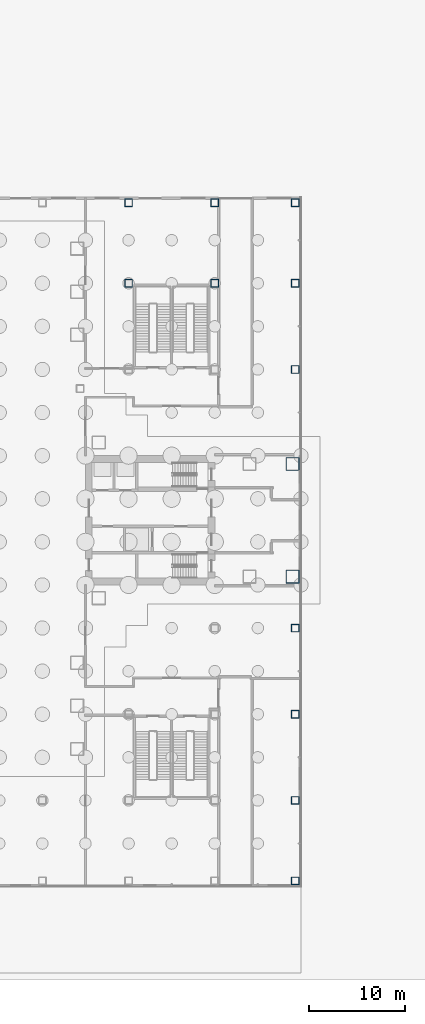
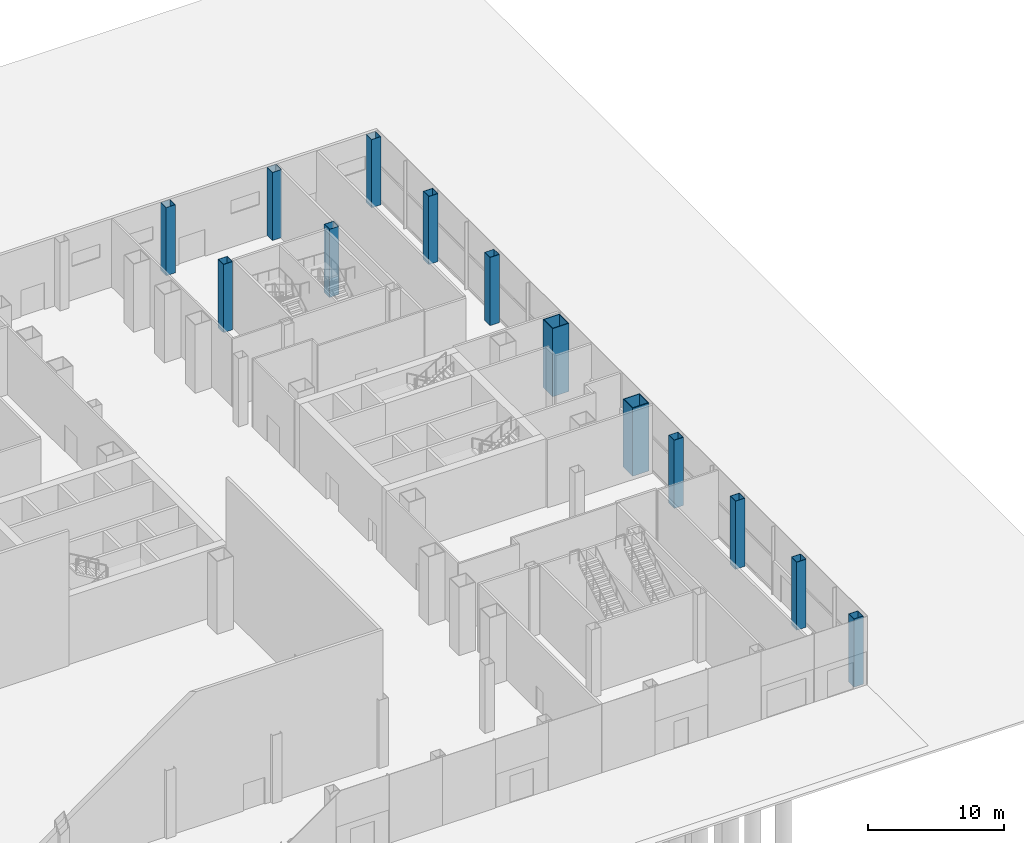
# One storey, part 6 of 37: 13 columns.
"""IFC4 building model written with IfcOpenShell, lengths in metres."""

from ifc_helpers import new_model, si_unit, direction, frame, origin, origin_2d, place, context, subcontext, project, spatial, hollow_rectangle, extrude, material, material_profile, profile_set, type_object, element, save


model = new_model("IFC4")

# Units and contexts
model_context = context("Model", 3, precision=1e-05, world=origin(), true_north=direction((0.0, 1.0)))
body_context = subcontext(model_context, "Body", "Model", "MODEL_VIEW")
ifc_project = project(units=[si_unit("LENGTHUNIT", "METRE"), si_unit("AREAUNIT", "SQUARE_METRE"), si_unit("VOLUMEUNIT", "CUBIC_METRE"), si_unit("PLANEANGLEUNIT", "RADIAN"), si_unit("MASSUNIT", "GRAM", prefix="KILO")], contexts=[model_context])

# Site, building, storey
site_placement = place(None, origin())
site = spatial("IfcSite", under=ifc_project, at=site_placement, CompositionType="ELEMENT")
building_placement = place(site_placement, origin())
building = spatial("IfcBuilding", under=site, at=building_placement, Name="Shamsa Quay Exchange Towers", CompositionType="ELEMENT")
storey_placement = place(building_placement, origin())
storey = spatial("IfcBuildingStorey", under=building, at=storey_placement, Name="L00", CompositionType="ELEMENT", Elevation=0.0)

# Columns
ifc_material_1 = material(Name="Concrete-filled steel tube S355 / C80/95", Category="concrete")
ifc_material_profile_1 = material_profile(ifc_material_1, hollow_rectangle(XDim=1.39990234375, YDim=1.39990234375, WallThickness=0.06005859375, at=origin_2d()), Name="CFT 1400x1400x60")
ifc_profile_set_1 = profile_set([ifc_material_profile_1], Name="Concrete-filled steel tube S355 / C80/95")
column_type_1 = type_object("IfcColumnType", Name="Column CFT 1400x1400x60", PredefinedType="COLUMN", material=ifc_profile_set_1)
for number, where, name in (
    (1, (62.125, -5.875, 0.0), "Mega column T2-CM22"),
    (2, (62.125, 5.875, 0.0), "Mega column T2-CM24"),
):
    element("IfcColumn", number, at=place(storey_placement, frame(where)), inside=storey, type_object=column_type_1, Name=name, PredefinedType="COLUMN", context=body_context, shape_type="SweptSolid", body=[
        extrude(hollow_rectangle(XDim=1.39990234375, YDim=1.39990234375, WallThickness=0.06005859375, at=origin_2d()), origin(), (0.0, 0.0, 1.0), 6.10009765625),
    ])
ifc_material_2 = material(Name="Concrete-filled steel tube S355 / C60/75", Category="concrete")
ifc_material_profile_2 = material_profile(ifc_material_2, hollow_rectangle(XDim=0.800048828125, YDim=0.800048828125, WallThickness=0.030029296875, at=origin_2d()), Name="CFT 800x800x30")
ifc_profile_set_2 = profile_set([ifc_material_profile_2], Name="Concrete-filled steel tube S355 / C60/75")
column_type_2 = type_object("IfcColumnType", Name="Column CFT 800x800x30", PredefinedType="COLUMN", material=ifc_profile_set_2)
for number, where, name in (
    (3, (45.0, 24.75, 0.0), "Perimeter column PD-C+0450+0248"),
    (4, (45.0, 33.14990234375, 0.0), "Perimeter column PD-C+0450+0338"),
    (5, (54.0, 24.75, 0.0), "Perimeter column PD-C+0540+0248"),
    (6, (54.0, 33.14990234375, 0.0), "Perimeter column PD-C+0540+0338"),
    (7, (62.39990234375, -37.64990234375, 0.0), "Perimeter column PD-C+0630-0382"),
    (8, (62.39990234375, -29.25, 0.0), "Perimeter column PD-C+0630-0292"),
    (9, (62.39990234375, -20.25, 0.0), "Perimeter column PD-C+0630-0202"),
    (10, (62.39990234375, -11.25, 0.0), "Perimeter column PD-C+0630-0112"),
    (11, (62.39990234375, 15.75, 0.0), "Perimeter column PD-C+0630+0158"),
    (12, (62.39990234375, 24.75, 0.0), "Perimeter column PD-C+0630+0248"),
    (13, (62.39990234375, 33.14990234375, 0.0), "Perimeter column PD-C+0630+0338"),
):
    element("IfcColumn", number, at=place(storey_placement, frame(where)), inside=storey, type_object=column_type_2, Name=name, PredefinedType="COLUMN", context=body_context, shape_type="SweptSolid", body=[
        extrude(hollow_rectangle(XDim=0.800048828125, YDim=0.800048828125, WallThickness=0.030029296875, at=origin_2d()), origin(), (0.0, 0.0, 1.0), 6.10009765625),
    ])

save(model, "model.ifc")
